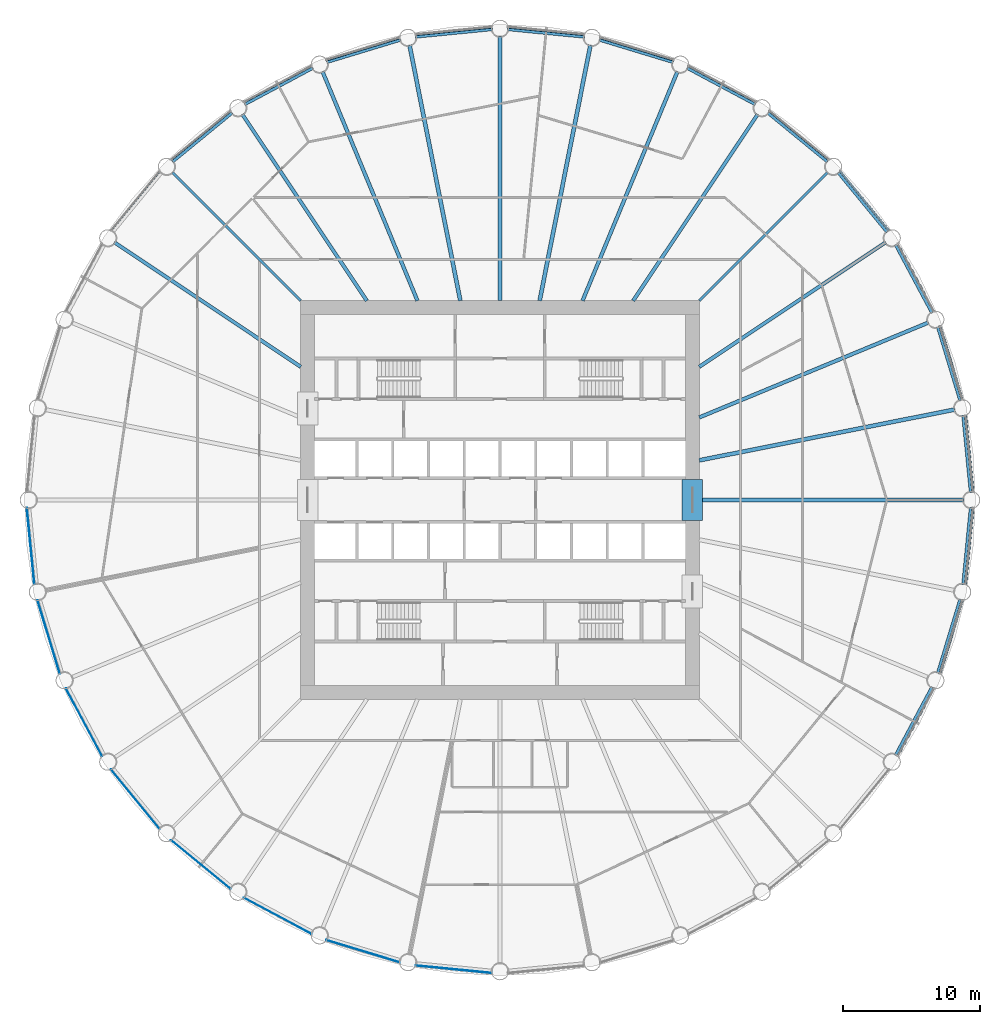
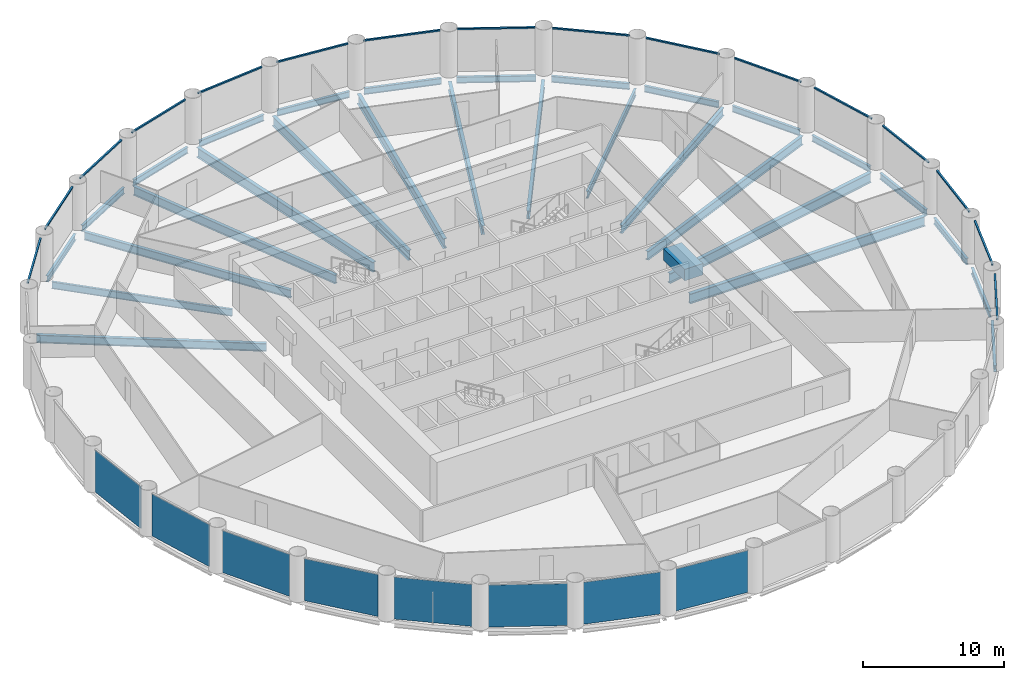
# One storey, part 2 of 8: 30 beams, 16 members, 8 plates, 24 elements without a shape of their own.
"""IFC4 building model written with IfcOpenShell, lengths in metres."""

from ifc_helpers import new_model, si_unit, direction, frame, origin, origin_2d, place, context, subcontext, project, spatial, rectangle, i_section, extrude, material, layer, layer_set, material_profile, profile_set, type_object, element, aggregate, save


model = new_model("IFC4")

# Units and contexts
model_context = context("Model", 3, precision=1e-05, world=origin(), true_north=direction((0.0, 1.0)))
body_context = subcontext(model_context, "Body", "Model", "MODEL_VIEW")
ifc_project = project(units=[si_unit("LENGTHUNIT", "METRE"), si_unit("AREAUNIT", "SQUARE_METRE"), si_unit("VOLUMEUNIT", "CUBIC_METRE"), si_unit("PLANEANGLEUNIT", "RADIAN"), si_unit("MASSUNIT", "GRAM", prefix="KILO")], contexts=[model_context])

# Site, building, storey
site_placement = place(None, origin())
site = spatial("IfcSite", under=ifc_project, at=site_placement, CompositionType="ELEMENT")
building_placement = place(site_placement, origin())
building = spatial("IfcBuilding", under=site, at=building_placement, Name="Corvane Civic Tower", CompositionType="ELEMENT")
storey_placement = place(building_placement, frame((0.0, 0.0, 126.5)))
storey = spatial("IfcBuildingStorey", under=building, at=storey_placement, Name="L29", CompositionType="ELEMENT", Elevation=126.5)

# Beams
ifc_material_1 = material(Name="Concrete C70/85", Category="concrete")
ifc_material_profile_1 = material_profile(ifc_material_1, rectangle(XDim=1.5, YDim=1.0, at=origin_2d()), Name="COUPLING BEAM 1500X1000")
ifc_profile_set_1 = profile_set([ifc_material_profile_1], Name="Concrete C70/85")
beam_type_1 = type_object("IfcBeamType", Name="COUPLING BEAM COUPLING BEAM 1500X1000", PredefinedType="BEAM", material=ifc_profile_set_1)
beam_1_placement = place(storey_placement, frame((14.0, -1.5, 2.60009765625), z_axis=(0.0, 1.0, 0.0), x_axis=(-1.0, 0.0, 0.0)))
element("IfcBeam", 1, at=beam_1_placement, inside=storey, type_object=beam_type_1, Name="BM-L29-cpl-CW-LE", PredefinedType="BEAM", context=body_context, shape_type="SweptSolid", body=[
    extrude(rectangle(XDim=1.5, YDim=1.0, at=origin_2d()), origin(), (0.0, 0.0, 1.0), 3.0),
])
ifc_material_2 = material(Name="Steel ASTM A992 Gr 50", Category="steel")
ifc_material_profile_2 = material_profile(ifc_material_2, i_section(OverallWidth=0.209228515625, OverallDepth=0.533447265625, WebThickness=0.01025390625, FlangeThickness=0.015625, at=origin_2d()), Name="W21X62")
ifc_profile_set_2 = profile_set([ifc_material_profile_2], Name="Steel ASTM A992 Gr 50")
beam_type_2 = type_object("IfcBeamType", Name="EDGE BEAM W21X62", PredefinedType="BEAM", material=ifc_profile_set_2)
beam_2_placement = place(storey_placement, frame((0.54736328125, 34.24609375, -0.566650390625), z_axis=(0.995184368522, -0.098020776625, 0.0), x_axis=(0.098020776625, 0.995184368522, 0.0)))
element("IfcBeam", 2, at=beam_2_placement, inside=storey, type_object=beam_type_2, Name="BM-L29-E01", PredefinedType="BEAM", context=body_context, shape_type="SweptSolid", body=[
    extrude(i_section(OverallWidth=0.209228515625, OverallDepth=0.533447265625, WebThickness=0.01025390625, FlangeThickness=0.015625, at=origin_2d()), origin(), (0.0, 0.0, 1.0), 5.6240234375),
])
beam_3_placement = place(storey_placement, frame((7.218017578125, 33.481201171875, -0.566650390625), z_axis=(0.956936367498, -0.290297758448, 0.0), x_axis=(0.290297758448, 0.956936367498, 0.0)))
element("IfcBeam", 3, at=beam_3_placement, inside=storey, type_object=beam_type_2, Name="BM-L29-E02", PredefinedType="BEAM", context=body_context, shape_type="SweptSolid", body=[
    extrude(i_section(OverallWidth=0.209228515625, OverallDepth=0.533447265625, WebThickness=0.01025390625, FlangeThickness=0.015625, at=origin_2d()), origin(), (0.0, 0.0, 1.0), 5.623779296875),
])
for number, where, z_axis, x_axis, name in (
    (4, (13.611083984375, 31.4296875, -0.566650390625), (0.88192357867, -0.471392407008, 0.0), (0.471392407008, 0.88192357867, 0.0), "BM-L29-E03"),
    (5, (19.481201171875, 28.17041015625, -0.566650390625), (0.773006775372, -0.634397765782, 0.0), (0.634397765782, 0.773006775372, 0.0), "BM-L29-E04"),
    (6, (24.6025390625, 23.82861328125, -0.566650390625), (0.634397765782, -0.773006775372, 0.0), (0.773006775372, 0.634397765782, 0.0), "BM-L29-E05"),
    (7, (28.778564453125, 18.571044921875, -0.566650390625), (0.471392407008, -0.88192357867, 0.0), (0.88192357867, 0.471392407008, 0.0), "BM-L29-E06"),
):
    element("IfcBeam", number, at=place(storey_placement, frame(where, z_axis=z_axis, x_axis=x_axis)), inside=storey, type_object=beam_type_2, Name=name, PredefinedType="BEAM", context=body_context, shape_type="SweptSolid", body=[
        extrude(i_section(OverallWidth=0.209228515625, OverallDepth=0.533447265625, WebThickness=0.01025390625, FlangeThickness=0.015625, at=origin_2d()), origin(), (0.0, 0.0, 1.0), 5.6240234375),
    ])
beam_4_placement = place(storey_placement, frame((31.8486328125, 12.599609375, -0.566650390625), z_axis=(0.290297758448, -0.956936367498, 0.0), x_axis=(0.956936367498, 0.290297758448, 0.0)))
element("IfcBeam", 8, at=beam_4_placement, inside=storey, type_object=beam_type_2, Name="BM-L29-E07", PredefinedType="BEAM", context=body_context, shape_type="SweptSolid", body=[
    extrude(i_section(OverallWidth=0.209228515625, OverallDepth=0.533447265625, WebThickness=0.01025390625, FlangeThickness=0.015625, at=origin_2d()), origin(), (0.0, 0.0, 1.0), 5.623779296875),
])
for number, where, z_axis, x_axis, name in (
    (9, (33.69482421875, 6.144287109375, -0.566650390625), (0.098020776625, -0.995184368522, 0.0), (0.995184368522, 0.098020776625, 0.0), "BM-L29-E08"),
    (10, (34.24609375, -0.54736328125, -0.566650390625), (-0.098020776625, -0.995184368522, 0.0), (0.995184368522, -0.098020776625, 0.0), "BM-L29-E09"),
):
    element("IfcBeam", number, at=place(storey_placement, frame(where, z_axis=z_axis, x_axis=x_axis)), inside=storey, type_object=beam_type_2, Name=name, PredefinedType="BEAM", context=body_context, shape_type="SweptSolid", body=[
        extrude(i_section(OverallWidth=0.209228515625, OverallDepth=0.533447265625, WebThickness=0.01025390625, FlangeThickness=0.015625, at=origin_2d()), origin(), (0.0, 0.0, 1.0), 5.6240234375),
    ])
beam_5_placement = place(storey_placement, frame((33.481201171875, -7.218017578125, -0.566650390625), z_axis=(-0.290297758448, -0.956936367498, 0.0), x_axis=(0.956936367498, -0.290297758448, 0.0)))
element("IfcBeam", 11, at=beam_5_placement, inside=storey, type_object=beam_type_2, Name="BM-L29-E10", PredefinedType="BEAM", context=body_context, shape_type="SweptSolid", body=[
    extrude(i_section(OverallWidth=0.209228515625, OverallDepth=0.533447265625, WebThickness=0.01025390625, FlangeThickness=0.015625, at=origin_2d()), origin(), (0.0, 0.0, 1.0), 5.623779296875),
])
for number, where, z_axis, x_axis, name in (
    (12, (31.4296875, -13.611083984375, -0.566650390625), (-0.471392407008, -0.88192357867, 0.0), (0.88192357867, -0.471392407008, 0.0), "BM-L29-E11"),
    (13, (-23.82861328125, 24.6025390625, -0.566650390625), (0.773006775372, 0.634397765782, 0.0), (-0.634397765782, 0.773006775372, 0.0), "BM-L29-E29"),
    (14, (-18.571044921875, 28.778564453125, -0.566650390625), (0.88192357867, 0.471392407008, 0.0), (-0.471392407008, 0.88192357867, 0.0), "BM-L29-E30"),
):
    element("IfcBeam", number, at=place(storey_placement, frame(where, z_axis=z_axis, x_axis=x_axis)), inside=storey, type_object=beam_type_2, Name=name, PredefinedType="BEAM", context=body_context, shape_type="SweptSolid", body=[
        extrude(i_section(OverallWidth=0.209228515625, OverallDepth=0.533447265625, WebThickness=0.01025390625, FlangeThickness=0.015625, at=origin_2d()), origin(), (0.0, 0.0, 1.0), 5.6240234375),
    ])
beam_6_placement = place(storey_placement, frame((-12.599609375, 31.8486328125, -0.566650390625), z_axis=(0.956936367498, 0.290297758448, 0.0), x_axis=(-0.290297758448, 0.956936367498, 0.0)))
element("IfcBeam", 15, at=beam_6_placement, inside=storey, type_object=beam_type_2, Name="BM-L29-E31", PredefinedType="BEAM", context=body_context, shape_type="SweptSolid", body=[
    extrude(i_section(OverallWidth=0.209228515625, OverallDepth=0.533447265625, WebThickness=0.01025390625, FlangeThickness=0.015625, at=origin_2d()), origin(), (0.0, 0.0, 1.0), 5.623779296875),
])
beam_7_placement = place(storey_placement, frame((-6.144287109375, 33.69482421875, -0.566650390625), z_axis=(0.995184368522, 0.098020776625, 0.0), x_axis=(-0.098020776625, 0.995184368522, 0.0)))
element("IfcBeam", 16, at=beam_7_placement, inside=storey, type_object=beam_type_2, Name="BM-L29-E32", PredefinedType="BEAM", context=body_context, shape_type="SweptSolid", body=[
    extrude(i_section(OverallWidth=0.209228515625, OverallDepth=0.533447265625, WebThickness=0.01025390625, FlangeThickness=0.015625, at=origin_2d()), origin(), (0.0, 0.0, 1.0), 5.6240234375),
])
ifc_material_3 = material(Name="Steel ASTM A992 Gr 50", Category="steel")
ifc_material_profile_3 = material_profile(ifc_material_3, i_section(OverallWidth=0.177978515625, OverallDepth=0.599365234375, WebThickness=0.010009765625, FlangeThickness=0.012939453125, at=origin_2d()), Name="W24X55")
ifc_profile_set_3 = profile_set([ifc_material_profile_3], Name="Steel ASTM A992 Gr 50")
beam_type_3 = type_object("IfcBeamType", Name="FLOOR GIRDER W24X55", PredefinedType="BEAM", material=ifc_profile_set_3)
for number, where, z_axis, x_axis, name in (
    (17, (14.5, 14.5, -0.599609375), (0.707106781187, 0.707106781187, 0.0), (-0.707106781187, 0.707106781187, 0.0), "BM-L29-G05"),
    (18, (-14.5, 14.5, -0.599609375), (-0.707106781187, 0.707106781187, 0.0), (-0.707106781187, -0.707106781187, 0.0), "BM-L29-G29"),
):
    element("IfcBeam", number, at=place(storey_placement, frame(where, z_axis=z_axis, x_axis=x_axis)), inside=storey, type_object=beam_type_3, Name=name, PredefinedType="BEAM", context=body_context, shape_type="SweptSolid", body=[
        extrude(i_section(OverallWidth=0.177978515625, OverallDepth=0.599365234375, WebThickness=0.010009765625, FlangeThickness=0.012939453125, at=origin_2d()), origin(), (0.0, 0.0, 1.0), 13.24365234375),
    ])
ifc_material_4 = material(Name="Steel ASTM A992 Gr 50", Category="steel")
ifc_material_profile_4 = material_profile(ifc_material_4, i_section(OverallWidth=0.256591796875, OverallDepth=0.693359375, WebThickness=0.014404296875, FlangeThickness=0.023681640625, at=origin_2d()), Name="W27X114")
ifc_profile_set_4 = profile_set([ifc_material_profile_4], Name="Steel ASTM A992 Gr 50")
beam_type_4 = type_object("IfcBeamType", Name="FLOOR GIRDER W27X114", PredefinedType="BEAM", material=ifc_profile_set_4)
for number, where, z_axis, x_axis, name in (
    (19, (9.6884765625, 14.5, -0.646728515625), (0.555577235054, 0.83146493365, 0.0), (-0.83146493365, 0.555577235054, 0.0), "BM-L29-G04"),
    (20, (14.5, 9.6884765625, -0.646728515625), (0.83146493365, 0.555577235054, 0.0), (-0.555577235054, 0.83146493365, 0.0), "BM-L29-G06"),
    (21, (-14.5, 9.6884765625, -0.646728515625), (-0.83146493365, 0.555577235054, 0.0), (-0.555577235054, -0.83146493365, 0.0), "BM-L29-G28"),
    (22, (-9.6884765625, 14.5, -0.646728515625), (-0.555577235054, 0.83146493365, 0.0), (-0.83146493365, -0.555577235054, 0.0), "BM-L29-G30"),
):
    element("IfcBeam", number, at=place(storey_placement, frame(where, z_axis=z_axis, x_axis=x_axis)), inside=storey, type_object=beam_type_4, Name=name, PredefinedType="BEAM", context=body_context, shape_type="SweptSolid", body=[
        extrude(i_section(OverallWidth=0.256591796875, OverallDepth=0.693359375, WebThickness=0.014404296875, FlangeThickness=0.023681640625, at=origin_2d()), origin(), (0.0, 0.0, 1.0), 16.31103515625),
    ])
ifc_material_5 = material(Name="Steel ASTM A992 Gr 50", Category="steel")
ifc_material_profile_5 = material_profile(ifc_material_5, i_section(OverallWidth=0.2666015625, OverallDepth=0.7568359375, WebThickness=0.013916015625, FlangeThickness=0.019287109375, at=origin_2d()), Name="W30X108")
ifc_profile_set_5 = profile_set([ifc_material_profile_5], Name="Steel ASTM A992 Gr 50")
beam_type_5 = type_object("IfcBeamType", Name="FLOOR GIRDER W30X108", PredefinedType="BEAM", material=ifc_profile_set_5)
for number, where, z_axis, x_axis, name in (
    (23, (6.006103515625, 14.5, -0.678466796875), (0.382681797504, 0.923880209691, 0.0), (-0.923880209691, 0.382681797504, 0.0), "BM-L29-G03"),
    (24, (14.5, 6.006103515625, -0.678466796875), (0.923880209691, 0.382681797504, 0.0), (-0.382681797504, 0.923880209691, 0.0), "BM-L29-G07"),
    (25, (-6.006103515625, 14.5, -0.678466796875), (-0.382681797504, 0.923880209691, 0.0), (-0.923880209691, -0.382681797504, 0.0), "BM-L29-G31"),
):
    element("IfcBeam", number, at=place(storey_placement, frame(where, z_axis=z_axis, x_axis=x_axis)), inside=storey, type_object=beam_type_5, Name=name, PredefinedType="BEAM", context=body_context, shape_type="SweptSolid", body=[
        extrude(i_section(OverallWidth=0.2666015625, OverallDepth=0.7568359375, WebThickness=0.013916015625, FlangeThickness=0.019287109375, at=origin_2d()), origin(), (0.0, 0.0, 1.0), 18.05517578125),
    ])
ifc_material_6 = material(Name="Steel ASTM A992 Gr 50", Category="steel")
ifc_material_profile_6 = material_profile(ifc_material_6, i_section(OverallWidth=0.2919921875, OverallDepth=0.8583984375, WebThickness=0.01708984375, FlangeThickness=0.031005859375, at=origin_2d()), Name="W33X169")
ifc_profile_set_6 = profile_set([ifc_material_profile_6], Name="Steel ASTM A992 Gr 50")
beam_type_6 = type_object("IfcBeamType", Name="FLOOR GIRDER W33X169", PredefinedType="BEAM", material=ifc_profile_set_6)
beam_8_placement = place(storey_placement, frame((0.0, 14.5, -0.729248046875), z_axis=(0.0, 1.0, 0.0), x_axis=(-1.0, 0.0, 0.0)))
element("IfcBeam", 26, at=beam_8_placement, inside=storey, type_object=beam_type_6, Name="BM-L29-G01", PredefinedType="BEAM", context=body_context, shape_type="SweptSolid", body=[
    extrude(i_section(OverallWidth=0.2919921875, OverallDepth=0.8583984375, WebThickness=0.01708984375, FlangeThickness=0.031005859375, at=origin_2d()), origin(), (0.0, 0.0, 1.0), 19.25),
])
for number, where, z_axis, x_axis, name in (
    (27, (2.88427734375, 14.5, -0.729248046875), (0.195083745652, 0.9807865885, 0.0), (-0.9807865885, 0.195083745652, 0.0), "BM-L29-G02"),
    (28, (14.5, 2.88427734375, -0.729248046875), (0.9807865885, 0.195083745652, 0.0), (-0.195083745652, 0.9807865885, 0.0), "BM-L29-G08"),
):
    element("IfcBeam", number, at=place(storey_placement, frame(where, z_axis=z_axis, x_axis=x_axis)), inside=storey, type_object=beam_type_6, Name=name, PredefinedType="BEAM", context=body_context, shape_type="SweptSolid", body=[
        extrude(i_section(OverallWidth=0.2919921875, OverallDepth=0.8583984375, WebThickness=0.01708984375, FlangeThickness=0.031005859375, at=origin_2d()), origin(), (0.0, 0.0, 1.0), 18.966064453125),
    ])
beam_9_placement = place(storey_placement, frame((14.5, 0.0, -0.729248046875), z_axis=(1.0, 0.0, 0.0), x_axis=(0.0, 1.0, 0.0)))
element("IfcBeam", 29, at=beam_9_placement, inside=storey, type_object=beam_type_6, Name="BM-L29-G09", PredefinedType="BEAM", context=body_context, shape_type="SweptSolid", body=[
    extrude(i_section(OverallWidth=0.2919921875, OverallDepth=0.8583984375, WebThickness=0.01708984375, FlangeThickness=0.031005859375, at=origin_2d()), origin(), (0.0, 0.0, 1.0), 19.25),
])
beam_10_placement = place(storey_placement, frame((-2.88427734375, 14.5, -0.729248046875), z_axis=(-0.195083745652, 0.9807865885, 0.0), x_axis=(-0.9807865885, -0.195083745652, 0.0)))
element("IfcBeam", 30, at=beam_10_placement, inside=storey, type_object=beam_type_6, Name="BM-L29-G32", PredefinedType="BEAM", context=body_context, shape_type="SweptSolid", body=[
    extrude(i_section(OverallWidth=0.2919921875, OverallDepth=0.8583984375, WebThickness=0.01708984375, FlangeThickness=0.031005859375, at=origin_2d()), origin(), (0.0, 0.0, 1.0), 18.966064453125),
])

# Curtain wall, member
ifc_material_7 = material(Name="Anodised aluminium bronze", Category="aluminium")
curtain_wall_type = type_object("IfcCurtainWallType", Name="TOWER CW-T1 STICK CURTAIN WALL", PredefinedType="NOTDEFINED", material=ifc_material_7)
curtain_wall_1_placement = place(storey_placement, origin())
curtain_wall_1 = element("IfcCurtainWall", 31, at=curtain_wall_1_placement, inside=storey, type_object=curtain_wall_type, Name="Curtain wall CW-T1 L29 bay 01", PredefinedType="NOTDEFINED")
ifc_material_8 = material(Name="Anodised aluminium bronze", Category="aluminium")
ifc_material_profile_7 = material_profile(ifc_material_8, rectangle(XDim=0.139892578125, YDim=0.1201171875, at=origin_2d()), Name="TOWER CW-T1 TRANSOM 140x120")
ifc_profile_set_7 = profile_set([ifc_material_profile_7], Name="Anodised aluminium bronze")
member_type = type_object("IfcMemberType", Name="TOWER CW-T1 TRANSOM 140x120", PredefinedType="USERDEFINED", material=ifc_profile_set_7)
member_1_placement = place(storey_placement, frame((0.58349609375, 34.422607421875, 3.68994140625), z_axis=(0.995179807033, -0.098067077419, 0.0), x_axis=(0.098067077419, 0.995179807033, 0.0)))
member_1 = element("IfcMember", 32, at=member_1_placement, type_object=member_type, Name="Transom CW-T1 L29 01.1", ObjectType="TRANSOM", PredefinedType="USERDEFINED", context=body_context, shape_type="SweptSolid", body=[
    extrude(rectangle(XDim=0.139892578125, YDim=0.1201171875, at=origin_2d()), origin(), (0.0, 0.0, 1.0), 5.58642578125),
])
aggregate(curtain_wall_1, [member_1])

curtain_wall_2_placement = place(storey_placement, origin())
curtain_wall_2 = element("IfcCurtainWall", 33, at=curtain_wall_2_placement, inside=storey, type_object=curtain_wall_type, Name="Curtain wall CW-T1 L29 bay 02", PredefinedType="NOTDEFINED")
member_2_placement = place(storey_placement, frame((7.287841796875, 33.647216796875, 3.68994140625), z_axis=(0.956944977029, -0.290269376509, 0.0), x_axis=(0.290269376509, 0.956944977029, 0.0)))
member_2 = element("IfcMember", 34, at=member_2_placement, type_object=member_type, Name="Transom CW-T1 L29 02.1", ObjectType="TRANSOM", PredefinedType="USERDEFINED", context=body_context, shape_type="SweptSolid", body=[
    extrude(rectangle(XDim=0.139892578125, YDim=0.1201171875, at=origin_2d()), origin(), (0.0, 0.0, 1.0), 5.58642578125),
])
aggregate(curtain_wall_2, [member_2])

curtain_wall_3_placement = place(storey_placement, origin())
curtain_wall_3 = element("IfcCurtainWall", 35, at=curtain_wall_3_placement, inside=storey, type_object=curtain_wall_type, Name="Curtain wall CW-T1 L29 bay 03", PredefinedType="NOTDEFINED")
member_3_placement = place(storey_placement, frame((13.712158203125, 31.5791015625, 3.68994140625), z_axis=(0.881920705407, -0.47139778253, 0.0), x_axis=(0.47139778253, 0.881920705407, 0.0)))
member_3 = element("IfcMember", 36, at=member_3_placement, type_object=member_type, Name="Transom CW-T1 L29 03.1", ObjectType="TRANSOM", PredefinedType="USERDEFINED", context=body_context, shape_type="SweptSolid", body=[
    extrude(rectangle(XDim=0.139892578125, YDim=0.1201171875, at=origin_2d()), origin(), (0.0, 0.0, 1.0), 5.586669921875),
])
aggregate(curtain_wall_3, [member_3])

curtain_wall_4_placement = place(storey_placement, origin())
curtain_wall_4 = element("IfcCurtainWall", 37, at=curtain_wall_4_placement, inside=storey, type_object=curtain_wall_type, Name="Curtain wall CW-T1 L29 bay 04", PredefinedType="NOTDEFINED")
member_4_placement = place(storey_placement, frame((19.609619140625, 28.297119140625, 3.68994140625), z_axis=(0.772996431642, -0.634410369295, 0.0), x_axis=(0.634410369295, 0.772996431642, 0.0)))
member_4 = element("IfcMember", 38, at=member_4_placement, type_object=member_type, Name="Transom CW-T1 L29 04.1", ObjectType="TRANSOM", PredefinedType="USERDEFINED", context=body_context, shape_type="SweptSolid", body=[
    extrude(rectangle(XDim=0.139892578125, YDim=0.1201171875, at=origin_2d()), origin(), (0.0, 0.0, 1.0), 5.586181640625),
])
aggregate(curtain_wall_4, [member_4])

curtain_wall_5_placement = place(storey_placement, origin())
curtain_wall_5 = element("IfcCurtainWall", 39, at=curtain_wall_5_placement, inside=storey, type_object=curtain_wall_type, Name="Curtain wall CW-T1 L29 bay 05", PredefinedType="NOTDEFINED")
member_5_placement = place(storey_placement, frame((24.753173828125, 23.927734375, 3.68994140625), z_axis=(0.634410369295, -0.772996431642, 0.0), x_axis=(0.772996431642, 0.634410369295, 0.0)))
member_5 = element("IfcMember", 40, at=member_5_placement, type_object=member_type, Name="Transom CW-T1 L29 05.1", ObjectType="TRANSOM", PredefinedType="USERDEFINED", context=body_context, shape_type="SweptSolid", body=[
    extrude(rectangle(XDim=0.139892578125, YDim=0.1201171875, at=origin_2d()), origin(), (0.0, 0.0, 1.0), 5.586181640625),
])
aggregate(curtain_wall_5, [member_5])

curtain_wall_6_placement = place(storey_placement, origin())
curtain_wall_6 = element("IfcCurtainWall", 41, at=curtain_wall_6_placement, inside=storey, type_object=curtain_wall_type, Name="Curtain wall CW-T1 L29 bay 06", PredefinedType="NOTDEFINED")
member_6_placement = place(storey_placement, frame((28.945556640625, 18.63916015625, 3.68994140625), z_axis=(0.47139778253, -0.881920705407, 0.0), x_axis=(0.881920705407, 0.47139778253, 0.0)))
member_6 = element("IfcMember", 42, at=member_6_placement, type_object=member_type, Name="Transom CW-T1 L29 06.1", ObjectType="TRANSOM", PredefinedType="USERDEFINED", context=body_context, shape_type="SweptSolid", body=[
    extrude(rectangle(XDim=0.139892578125, YDim=0.1201171875, at=origin_2d()), origin(), (0.0, 0.0, 1.0), 5.586669921875),
])
aggregate(curtain_wall_6, [member_6])

curtain_wall_7_placement = place(storey_placement, origin())
curtain_wall_7 = element("IfcCurtainWall", 43, at=curtain_wall_7_placement, inside=storey, type_object=curtain_wall_type, Name="Curtain wall CW-T1 L29 bay 07", PredefinedType="NOTDEFINED")
member_7_placement = place(storey_placement, frame((32.025634765625, 12.6337890625, 3.68994140625), z_axis=(0.290269376509, -0.956944977029, 0.0), x_axis=(0.956944977029, 0.290269376509, 0.0)))
member_7 = element("IfcMember", 44, at=member_7_placement, type_object=member_type, Name="Transom CW-T1 L29 07.1", ObjectType="TRANSOM", PredefinedType="USERDEFINED", context=body_context, shape_type="SweptSolid", body=[
    extrude(rectangle(XDim=0.139892578125, YDim=0.1201171875, at=origin_2d()), origin(), (0.0, 0.0, 1.0), 5.58642578125),
])
aggregate(curtain_wall_7, [member_7])

curtain_wall_8_placement = place(storey_placement, origin())
curtain_wall_8 = element("IfcCurtainWall", 45, at=curtain_wall_8_placement, inside=storey, type_object=curtain_wall_type, Name="Curtain wall CW-T1 L29 bay 08", PredefinedType="NOTDEFINED")
member_8_placement = place(storey_placement, frame((33.874755859375, 6.14306640625, 3.68994140625), z_axis=(0.098067077419, -0.995179807033, 0.0), x_axis=(0.995179807033, 0.098067077419, 0.0)))
member_8 = element("IfcMember", 46, at=member_8_placement, type_object=member_type, Name="Transom CW-T1 L29 08.1", ObjectType="TRANSOM", PredefinedType="USERDEFINED", context=body_context, shape_type="SweptSolid", body=[
    extrude(rectangle(XDim=0.139892578125, YDim=0.1201171875, at=origin_2d()), origin(), (0.0, 0.0, 1.0), 5.58642578125),
])
aggregate(curtain_wall_8, [member_8])

curtain_wall_9_placement = place(storey_placement, origin())
curtain_wall_9 = element("IfcCurtainWall", 47, at=curtain_wall_9_placement, inside=storey, type_object=curtain_wall_type, Name="Curtain wall CW-T1 L29 bay 09", PredefinedType="NOTDEFINED")
member_9_placement = place(storey_placement, frame((34.422607421875, -0.58349609375, 3.68994140625), z_axis=(-0.098067077419, -0.995179807033, 0.0), x_axis=(0.995179807033, -0.098067077419, 0.0)))
member_9 = element("IfcMember", 48, at=member_9_placement, type_object=member_type, Name="Transom CW-T1 L29 09.1", ObjectType="TRANSOM", PredefinedType="USERDEFINED", context=body_context, shape_type="SweptSolid", body=[
    extrude(rectangle(XDim=0.139892578125, YDim=0.1201171875, at=origin_2d()), origin(), (0.0, 0.0, 1.0), 5.58642578125),
])
aggregate(curtain_wall_9, [member_9])

curtain_wall_10_placement = place(storey_placement, origin())
curtain_wall_10 = element("IfcCurtainWall", 49, at=curtain_wall_10_placement, inside=storey, type_object=curtain_wall_type, Name="Curtain wall CW-T1 L29 bay 10", PredefinedType="NOTDEFINED")
member_10_placement = place(storey_placement, frame((33.647216796875, -7.287841796875, 3.68994140625), z_axis=(-0.290269376509, -0.956944977029, 0.0), x_axis=(0.956944977029, -0.290269376509, 0.0)))
member_10 = element("IfcMember", 50, at=member_10_placement, type_object=member_type, Name="Transom CW-T1 L29 10.1", ObjectType="TRANSOM", PredefinedType="USERDEFINED", context=body_context, shape_type="SweptSolid", body=[
    extrude(rectangle(XDim=0.139892578125, YDim=0.1201171875, at=origin_2d()), origin(), (0.0, 0.0, 1.0), 5.58642578125),
])
aggregate(curtain_wall_10, [member_10])

curtain_wall_11_placement = place(storey_placement, origin())
curtain_wall_11 = element("IfcCurtainWall", 51, at=curtain_wall_11_placement, inside=storey, type_object=curtain_wall_type, Name="Curtain wall CW-T1 L29 bay 11", PredefinedType="NOTDEFINED")
member_11_placement = place(storey_placement, frame((31.5791015625, -13.712158203125, 3.68994140625), z_axis=(-0.47139778253, -0.881920705407, 0.0), x_axis=(0.881920705407, -0.47139778253, 0.0)))
member_11 = element("IfcMember", 52, at=member_11_placement, type_object=member_type, Name="Transom CW-T1 L29 11.1", ObjectType="TRANSOM", PredefinedType="USERDEFINED", context=body_context, shape_type="SweptSolid", body=[
    extrude(rectangle(XDim=0.139892578125, YDim=0.1201171875, at=origin_2d()), origin(), (0.0, 0.0, 1.0), 5.586669921875),
])
aggregate(curtain_wall_11, [member_11])

curtain_wall_12_placement = place(storey_placement, origin())
curtain_wall_12 = element("IfcCurtainWall", 53, at=curtain_wall_12_placement, inside=storey, type_object=curtain_wall_type, Name="Curtain wall CW-T1 L29 bay 28", PredefinedType="NOTDEFINED")
member_12_placement = place(storey_placement, frame((-28.297119140625, 19.609619140625, 3.68994140625), z_axis=(0.634410369295, 0.772996431642, 0.0), x_axis=(-0.772996431642, 0.634410369295, 0.0)))
member_12 = element("IfcMember", 54, at=member_12_placement, type_object=member_type, Name="Transom CW-T1 L29 28.1", ObjectType="TRANSOM", PredefinedType="USERDEFINED", context=body_context, shape_type="SweptSolid", body=[
    extrude(rectangle(XDim=0.139892578125, YDim=0.1201171875, at=origin_2d()), origin(), (0.0, 0.0, 1.0), 5.586181640625),
])
aggregate(curtain_wall_12, [member_12])

curtain_wall_13_placement = place(storey_placement, origin())
curtain_wall_13 = element("IfcCurtainWall", 55, at=curtain_wall_13_placement, inside=storey, type_object=curtain_wall_type, Name="Curtain wall CW-T1 L29 bay 29", PredefinedType="NOTDEFINED")
member_13_placement = place(storey_placement, frame((-23.927734375, 24.753173828125, 3.68994140625), z_axis=(0.772996431642, 0.634410369295, 0.0), x_axis=(-0.634410369295, 0.772996431642, 0.0)))
member_13 = element("IfcMember", 56, at=member_13_placement, type_object=member_type, Name="Transom CW-T1 L29 29.1", ObjectType="TRANSOM", PredefinedType="USERDEFINED", context=body_context, shape_type="SweptSolid", body=[
    extrude(rectangle(XDim=0.139892578125, YDim=0.1201171875, at=origin_2d()), origin(), (0.0, 0.0, 1.0), 5.586181640625),
])
aggregate(curtain_wall_13, [member_13])

curtain_wall_14_placement = place(storey_placement, origin())
curtain_wall_14 = element("IfcCurtainWall", 57, at=curtain_wall_14_placement, inside=storey, type_object=curtain_wall_type, Name="Curtain wall CW-T1 L29 bay 30", PredefinedType="NOTDEFINED")
member_14_placement = place(storey_placement, frame((-18.63916015625, 28.945556640625, 3.68994140625), z_axis=(0.881920705407, 0.47139778253, 0.0), x_axis=(-0.47139778253, 0.881920705407, 0.0)))
member_14 = element("IfcMember", 58, at=member_14_placement, type_object=member_type, Name="Transom CW-T1 L29 30.1", ObjectType="TRANSOM", PredefinedType="USERDEFINED", context=body_context, shape_type="SweptSolid", body=[
    extrude(rectangle(XDim=0.139892578125, YDim=0.1201171875, at=origin_2d()), origin(), (0.0, 0.0, 1.0), 5.586669921875),
])
aggregate(curtain_wall_14, [member_14])

curtain_wall_15_placement = place(storey_placement, origin())
curtain_wall_15 = element("IfcCurtainWall", 59, at=curtain_wall_15_placement, inside=storey, type_object=curtain_wall_type, Name="Curtain wall CW-T1 L29 bay 31", PredefinedType="NOTDEFINED")
member_15_placement = place(storey_placement, frame((-12.6337890625, 32.025634765625, 3.68994140625), z_axis=(0.956944977029, 0.290269376509, 0.0), x_axis=(-0.290269376509, 0.956944977029, 0.0)))
member_15 = element("IfcMember", 60, at=member_15_placement, type_object=member_type, Name="Transom CW-T1 L29 31.1", ObjectType="TRANSOM", PredefinedType="USERDEFINED", context=body_context, shape_type="SweptSolid", body=[
    extrude(rectangle(XDim=0.139892578125, YDim=0.1201171875, at=origin_2d()), origin(), (0.0, 0.0, 1.0), 5.58642578125),
])
aggregate(curtain_wall_15, [member_15])

curtain_wall_16_placement = place(storey_placement, origin())
curtain_wall_16 = element("IfcCurtainWall", 61, at=curtain_wall_16_placement, inside=storey, type_object=curtain_wall_type, Name="Curtain wall CW-T1 L29 bay 32", PredefinedType="NOTDEFINED")
member_16_placement = place(storey_placement, frame((-6.14306640625, 33.874755859375, 3.68994140625), z_axis=(0.995179807033, 0.098067077419, 0.0), x_axis=(-0.098067077419, 0.995179807033, 0.0)))
member_16 = element("IfcMember", 62, at=member_16_placement, type_object=member_type, Name="Transom CW-T1 L29 32.1", ObjectType="TRANSOM", PredefinedType="USERDEFINED", context=body_context, shape_type="SweptSolid", body=[
    extrude(rectangle(XDim=0.139892578125, YDim=0.1201171875, at=origin_2d()), origin(), (0.0, 0.0, 1.0), 5.58642578125),
])
aggregate(curtain_wall_16, [member_16])

# Curtain wall, plate
curtain_wall_17_placement = place(storey_placement, origin())
curtain_wall_17 = element("IfcCurtainWall", 63, at=curtain_wall_17_placement, inside=storey, type_object=curtain_wall_type, Name="Curtain wall CW-T1 L29 bay 17", PredefinedType="NOTDEFINED")
ifc_material_9 = material(Name="Tinted glass", Category="glass")
ifc_layer = layer(ifc_material_9, 0.035888671875)
ifc_layer_set = layer_set([ifc_layer], Name="Tinted glass")
plate_type = type_object("IfcPlateType", Name="TOWER CW-T1 PANEL IGU36", PredefinedType="CURTAIN_PANEL", material=ifc_layer_set)
plate_1_placement = place(storey_placement, frame((-3.36328125, -34.148681640625, 0.0), z_axis=(0.0, 0.0, 1.0), x_axis=(-0.995183788169, 0.098026668644, 0.0)))
plate_1 = element("IfcPlate", 64, at=plate_1_placement, type_object=plate_type, Name="Glass panel CW-T1 L29 17.1", PredefinedType="CURTAIN_PANEL", context=body_context, shape_type="SweptSolid", body=[
    extrude(rectangle(XDim=5.58642578125, YDim=0.035888671875, at=origin_2d()), origin(), (0.0, 0.0, 1.0), 3.6298828125),
])
aggregate(curtain_wall_17, [plate_1])

curtain_wall_18_placement = place(storey_placement, origin())
curtain_wall_18 = element("IfcCurtainWall", 65, at=curtain_wall_18_placement, inside=storey, type_object=curtain_wall_type, Name="Curtain wall CW-T1 L29 bay 18", PredefinedType="NOTDEFINED")
plate_2_placement = place(storey_placement, frame((-9.9609375, -32.83642578125, 0.0), z_axis=(0.0, 0.0, 1.0), x_axis=(-0.956945991488, 0.290266032073, 0.0)))
plate_2 = element("IfcPlate", 66, at=plate_2_placement, type_object=plate_type, Name="Glass panel CW-T1 L29 18.1", PredefinedType="CURTAIN_PANEL", context=body_context, shape_type="SweptSolid", body=[
    extrude(rectangle(XDim=5.58642578125, YDim=0.035888671875, at=origin_2d()), origin(), (0.0, 0.0, 1.0), 3.6298828125),
])
aggregate(curtain_wall_18, [plate_2])

curtain_wall_19_placement = place(storey_placement, origin())
curtain_wall_19 = element("IfcCurtainWall", 67, at=curtain_wall_19_placement, inside=storey, type_object=curtain_wall_type, Name="Curtain wall CW-T1 L29 bay 19", PredefinedType="NOTDEFINED")
plate_3_placement = place(storey_placement, frame((-16.175537109375, -30.26220703125, 0.0), z_axis=(0.0, 0.0, 1.0), x_axis=(-0.881923642976, 0.471392286699, 0.0)))
plate_3 = element("IfcPlate", 68, at=plate_3_placement, type_object=plate_type, Name="Glass panel CW-T1 L29 19.1", PredefinedType="CURTAIN_PANEL", context=body_context, shape_type="SweptSolid", body=[
    extrude(rectangle(XDim=5.586669921875, YDim=0.035888671875, at=origin_2d()), origin(), (0.0, 0.0, 1.0), 3.6298828125),
])
aggregate(curtain_wall_19, [plate_3])

curtain_wall_20_placement = place(storey_placement, origin())
curtain_wall_20 = element("IfcCurtainWall", 69, at=curtain_wall_20_placement, inside=storey, type_object=curtain_wall_type, Name="Curtain wall CW-T1 L29 bay 20", PredefinedType="NOTDEFINED")
plate_4_placement = place(storey_placement, frame((-21.7685546875, -26.525146484375, 0.0), z_axis=(0.0, 0.0, 1.0), x_axis=(-0.773013419843, 0.63438966948, 0.0)))
plate_4 = element("IfcPlate", 70, at=plate_4_placement, type_object=plate_type, Name="Glass panel CW-T1 L29 20.1", PredefinedType="CURTAIN_PANEL", context=body_context, shape_type="SweptSolid", body=[
    extrude(rectangle(XDim=5.58642578125, YDim=0.035888671875, at=origin_2d()), origin(), (0.0, 0.0, 1.0), 3.6298828125),
])
aggregate(curtain_wall_20, [plate_4])

curtain_wall_21_placement = place(storey_placement, origin())
curtain_wall_21 = element("IfcCurtainWall", 71, at=curtain_wall_21_placement, inside=storey, type_object=curtain_wall_type, Name="Curtain wall CW-T1 L29 bay 21", PredefinedType="NOTDEFINED")
plate_5_placement = place(storey_placement, frame((-26.525146484375, -21.7685546875, 0.0), z_axis=(0.0, 0.0, 1.0), x_axis=(-0.63438966948, 0.773013419843, 0.0)))
plate_5 = element("IfcPlate", 72, at=plate_5_placement, type_object=plate_type, Name="Glass panel CW-T1 L29 21.1", PredefinedType="CURTAIN_PANEL", context=body_context, shape_type="SweptSolid", body=[
    extrude(rectangle(XDim=5.58642578125, YDim=0.035888671875, at=origin_2d()), origin(), (0.0, 0.0, 1.0), 3.6298828125),
])
aggregate(curtain_wall_21, [plate_5])

curtain_wall_22_placement = place(storey_placement, origin())
curtain_wall_22 = element("IfcCurtainWall", 73, at=curtain_wall_22_placement, inside=storey, type_object=curtain_wall_type, Name="Curtain wall CW-T1 L29 bay 22", PredefinedType="NOTDEFINED")
plate_6_placement = place(storey_placement, frame((-30.26220703125, -16.175537109375, 0.0), z_axis=(0.0, 0.0, 1.0), x_axis=(-0.471392286699, 0.881923642976, 0.0)))
plate_6 = element("IfcPlate", 74, at=plate_6_placement, type_object=plate_type, Name="Glass panel CW-T1 L29 22.1", PredefinedType="CURTAIN_PANEL", context=body_context, shape_type="SweptSolid", body=[
    extrude(rectangle(XDim=5.586669921875, YDim=0.035888671875, at=origin_2d()), origin(), (0.0, 0.0, 1.0), 3.6298828125),
])
aggregate(curtain_wall_22, [plate_6])

curtain_wall_23_placement = place(storey_placement, origin())
curtain_wall_23 = element("IfcCurtainWall", 75, at=curtain_wall_23_placement, inside=storey, type_object=curtain_wall_type, Name="Curtain wall CW-T1 L29 bay 23", PredefinedType="NOTDEFINED")
plate_7_placement = place(storey_placement, frame((-32.83642578125, -9.9609375, 0.0), z_axis=(0.0, 0.0, 1.0), x_axis=(-0.290266032073, 0.956945991488, 0.0)))
plate_7 = element("IfcPlate", 76, at=plate_7_placement, type_object=plate_type, Name="Glass panel CW-T1 L29 23.1", PredefinedType="CURTAIN_PANEL", context=body_context, shape_type="SweptSolid", body=[
    extrude(rectangle(XDim=5.58642578125, YDim=0.035888671875, at=origin_2d()), origin(), (0.0, 0.0, 1.0), 3.6298828125),
])
aggregate(curtain_wall_23, [plate_7])

curtain_wall_24_placement = place(storey_placement, origin())
curtain_wall_24 = element("IfcCurtainWall", 77, at=curtain_wall_24_placement, inside=storey, type_object=curtain_wall_type, Name="Curtain wall CW-T1 L29 bay 24", PredefinedType="NOTDEFINED")
plate_8_placement = place(storey_placement, frame((-34.148681640625, -3.36328125, 0.0), z_axis=(0.0, 0.0, 1.0), x_axis=(-0.098026668644, 0.995183788169, 0.0)))
plate_8 = element("IfcPlate", 78, at=plate_8_placement, type_object=plate_type, Name="Glass panel CW-T1 L29 24.1", PredefinedType="CURTAIN_PANEL", context=body_context, shape_type="SweptSolid", body=[
    extrude(rectangle(XDim=5.58642578125, YDim=0.035888671875, at=origin_2d()), origin(), (0.0, 0.0, 1.0), 3.6298828125),
])
aggregate(curtain_wall_24, [plate_8])

save(model, "model.ifc")
